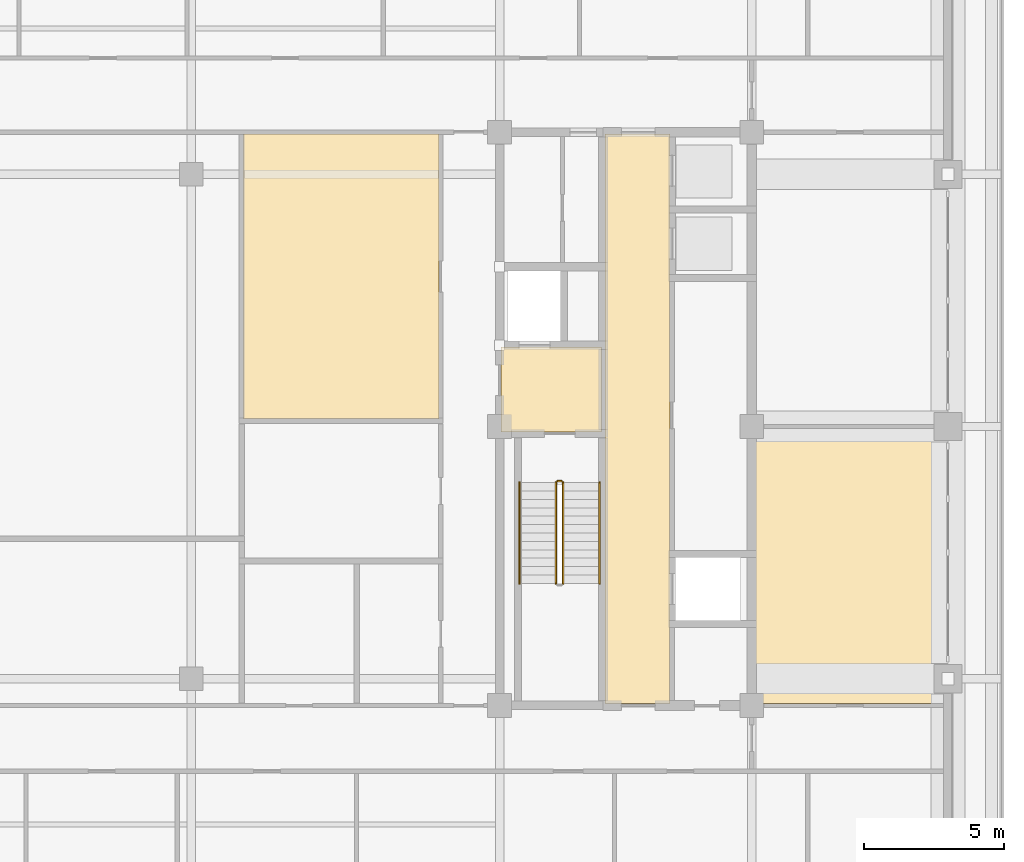
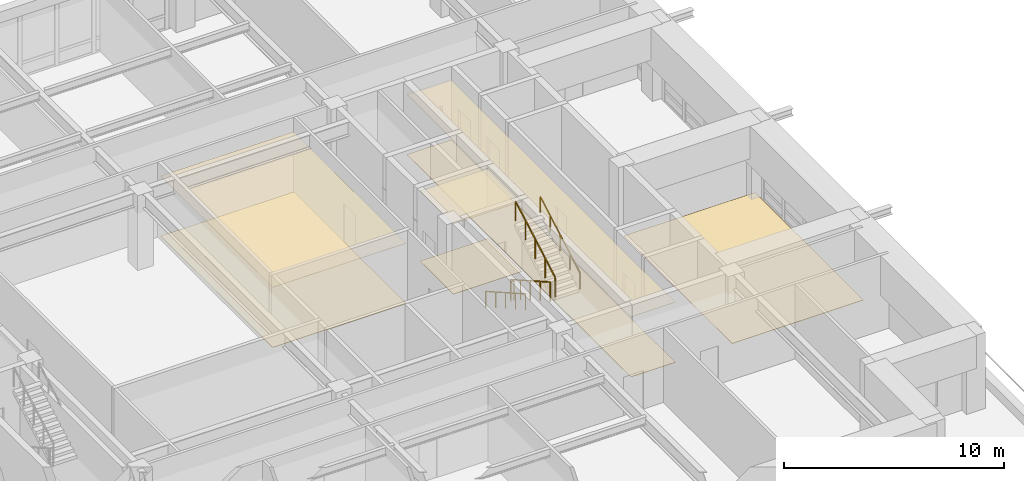
# One storey, part 18 of 20: 7 coverings, 5 railings.
"""IFC4 building model written with IfcOpenShell, lengths in metres."""

import ifcopenshell
import ifcopenshell.guid

model = None  # the IFC model being written
_history = None  # IfcOwnerHistory: only IFC2X3 demands one
_inside = {}  # id of a spatial element -> (the spatial element, [elements in it])
_under = {}  # id of a project, library or spatial element -> (it, [spatial elements below it])
_declared = {}  # id of a project -> (the project, [libraries it declares])
_typed = {}  # id of a type object -> (the type object, [elements of that type])
_made_of = {}  # id of a material, layer set ... -> (it, [elements and type objects made of it])


def new_model(schema):
    """Start an empty IFC model of exactly this schema.

    Asked for "IFC4X3", IfcOpenShell would pick the latest addendum, in which some entities
    have other attributes; the version numbers below select the first issue.
    IFC2X3 requires an IfcOwnerHistory on every rooted entity: one is made here for all.
    """
    global model, _history
    if schema == "IFC4X3":
        model = ifcopenshell.file(schema_version=(4, 3, 0, 0))
    else:
        model = ifcopenshell.file(schema=schema)
    _inside.clear()
    _under.clear()
    _declared.clear()
    _typed.clear()
    _made_of.clear()
    _history = None
    if model.schema == "IFC2X3":
        org = make("IfcOrganization", Name="unknown")
        user = make(
            "IfcPersonAndOrganization",
            ThePerson=make("IfcPerson", FamilyName="unknown"),
            TheOrganization=org,
        )
        app = make(
            "IfcApplication",
            ApplicationDeveloper=org,
            Version="unknown",
            ApplicationFullName="unknown",
            ApplicationIdentifier="unknown",
        )
        _history = make(
            "IfcOwnerHistory",
            OwningUser=user,
            OwningApplication=app,
            ChangeAction="ADDED",
            CreationDate=0,
        )
    return model


def make(cls, **values):
    """One entity of the class cls with the attributes given. An attribute that is None is left unset."""
    return model.create_entity(
        cls, **{name: value for name, value in values.items() if value is not None}
    )


def rooted(cls, **values):
    """An entity with a GlobalId (a new one), such as an element, a storey or a relation."""
    return make(cls, GlobalId=ifcopenshell.guid.new(), OwnerHistory=_history, **values)


def si_unit(unit_type, name, prefix=None):
    """IfcSIUnit, for example si_unit("LENGTHUNIT", "METRE", prefix="MILLI")."""
    return make("IfcSIUnit", UnitType=unit_type, Prefix=prefix, Name=name)


def assignment(units):
    """IfcUnitAssignment: the units of a project."""
    return None if units is None else make("IfcUnitAssignment", Units=units)


def point(xyz):
    """IfcCartesianPoint."""
    return None if xyz is None else make("IfcCartesianPoint", Coordinates=xyz)


def direction(xyz):
    """IfcDirection."""
    return None if xyz is None else make("IfcDirection", DirectionRatios=xyz)


def frame(location, z_axis=None, x_axis=None):
    """IfcAxis2Placement3D, a coordinate frame: its origin and axes. An axis left out is left unset."""
    return make(
        "IfcAxis2Placement3D",
        Location=point(location),
        Axis=direction(z_axis),
        RefDirection=direction(x_axis),
    )


def frame_2d(location, x_axis=None):
    """IfcAxis2Placement2D, a coordinate frame in the plane: its origin and x axis."""
    return make(
        "IfcAxis2Placement2D", Location=point(location), RefDirection=direction(x_axis)
    )


def origin():
    """The frame at (0, 0, 0) with its axes left unset."""
    return frame((0.0, 0.0, 0.0))


def origin_2d():
    """The frame at (0, 0) in the plane with its x axis left unset."""
    return frame_2d((0.0, 0.0))


def place(relative_to, where):
    """IfcLocalPlacement: puts the frame where relative to a parent placement (None: the world)."""
    return make(
        "IfcLocalPlacement", PlacementRelTo=relative_to, RelativePlacement=where
    )


def context(
    kind, dimensions, precision=None, world=None, true_north=None, identifier=None
):
    """IfcGeometricRepresentationContext, for example the 3D "Model" context."""
    return make(
        "IfcGeometricRepresentationContext",
        ContextIdentifier=identifier,
        ContextType=kind,
        CoordinateSpaceDimension=dimensions,
        Precision=precision,
        WorldCoordinateSystem=world,
        TrueNorth=true_north,
    )


def subcontext(parent, identifier, kind, view, scale=None):
    """IfcGeometricRepresentationSubContext, for example "Body" below "Model"."""
    return make(
        "IfcGeometricRepresentationSubContext",
        ContextIdentifier=identifier,
        ContextType=kind,
        ParentContext=parent,
        TargetScale=scale,
        TargetView=view,
    )


def project(units=None, contexts=None):
    """IfcProject with its units and contexts."""
    return rooted(
        "IfcProject",
        Name="project",
        RepresentationContexts=contexts,
        UnitsInContext=assignment(units),
    )


def spatial(cls, under=None, at=None, **own):
    """A site, building, storey or space (cls), placed at a placement, below another one or the project."""
    s = rooted(cls, ObjectPlacement=at, **own)
    if under is not None:
        _under.setdefault(under.id(), (under, []))[1].append(s)
    return s


def polyline(points):
    """IfcPolyline through the points."""
    return make("IfcPolyline", Points=[point(p) for p in points])


def profile(cls, at=None, kind="AREA", **sizes):
    """A parametric profile (cls). Its sizes go by their IFC names, for example OverallWidth=200.0."""
    return make(cls, ProfileType=kind, Position=at, **sizes)


def rectangle(**sizes):
    """IfcRectangleProfileDef."""
    return profile("IfcRectangleProfileDef", **sizes)


def outline(outer, holes=None, kind="AREA"):
    """IfcArbitraryClosedProfileDef: a profile drawn as a closed curve; with holes, ...WithVoids."""
    if holes is None:
        return make("IfcArbitraryClosedProfileDef", ProfileType=kind, OuterCurve=outer)
    return make(
        "IfcArbitraryProfileDefWithVoids",
        ProfileType=kind,
        OuterCurve=outer,
        InnerCurves=holes,
    )


def extrude(swept, where, along, depth):
    """IfcExtrudedAreaSolid: the profile swept, set in the frame where, extruded along a direction by depth."""
    return make(
        "IfcExtrudedAreaSolid",
        SweptArea=swept,
        Position=where,
        ExtrudedDirection=direction(along),
        Depth=depth,
    )


def shape(context_of_items, identifier, shape_type, items):
    """IfcShapeRepresentation: the items that make up one representation, for example the "Body"."""
    return make(
        "IfcShapeRepresentation",
        ContextOfItems=context_of_items,
        RepresentationIdentifier=identifier,
        RepresentationType=shape_type,
        Items=items,
    )


def material(Name=None, Category=None):
    """IfcMaterial."""
    return make("IfcMaterial", Name=Name, Category=Category)


def layer(
    of_material, thickness, ventilated=None, Name=None, Category=None, Priority=None
):
    """IfcMaterialLayer: one layer of a wall or slab, of a material (None: an air gap)."""
    return make(
        "IfcMaterialLayer",
        Material=of_material,
        LayerThickness=thickness,
        IsVentilated=ventilated,
        Name=Name,
        Category=Category,
        Priority=Priority,
    )


def layer_set(layers, Name=None):
    """IfcMaterialLayerSet."""
    return make("IfcMaterialLayerSet", MaterialLayers=layers, LayerSetName=Name)


def made_of(thing, what):
    """Note that an element or type object is made of a material, layer set ...; save() writes the relation."""
    if what is not None:
        _made_of.setdefault(what.id(), (what, []))[1].append(thing)
    return thing


def type_object(cls, material=None, **own):
    """A type object (cls), such as IfcWallType, which elements share."""
    return made_of(rooted(cls, **own), material)


def element(
    cls,
    number,
    at=None,
    inside=None,
    cuts=None,
    type_object=None,
    material=None,
    context=None,
    identifier="Body",
    shape_type=None,
    held_by="IfcProductDefinitionShape",
    body=None,
    shapes=None,
    **own,
):
    """One element of the class cls, such as IfcWall. Its Tag is "e" and its number.

    at: its placement. inside: the storey or other place that contains it. cuts: it is an
    opening in that element (IfcRelVoidsElement). A single representation is given by context,
    identifier, shape_type and body (its items); several are given by shapes. held_by: the class
    of the entity that holds the representations. save() writes the other relations.
    """
    e = rooted(cls, Tag="e%d" % number, ObjectPlacement=at, **own)
    if body is not None:
        shapes = [shape(context, identifier, shape_type, body)]
    if shapes is not None:
        e.Representation = make(held_by, Representations=shapes)
    if inside is not None:
        _inside.setdefault(inside.id(), (inside, []))[1].append(e)
    if cuts is not None:
        rooted(
            "IfcRelVoidsElement", RelatingBuildingElement=cuts, RelatedOpeningElement=e
        )
    if type_object is not None:
        _typed.setdefault(type_object.id(), (type_object, []))[1].append(e)
    return made_of(e, material)


def aggregate(whole, parts):
    """IfcRelAggregates: a whole, such as a stair, and the parts it consists of."""
    return rooted("IfcRelAggregates", RelatingObject=whole, RelatedObjects=parts)


def save(model, path):
    """Write the relations noted so far, then the file.

    IfcRelAggregates (storeys below a building ...), IfcRelContainedInSpatialStructure (elements
    in a storey), IfcRelDefinesByType, IfcRelAssociatesMaterial and IfcRelDeclares: one each for
    every whole, place, type object, material and project.
    """
    for whole, parts in _under.values():
        aggregate(whole, parts)
    for where, things in _inside.values():
        rooted(
            "IfcRelContainedInSpatialStructure",
            RelatedElements=things,
            RelatingStructure=where,
        )
    for kind, things in _typed.values():
        rooted("IfcRelDefinesByType", RelatedObjects=things, RelatingType=kind)
    for what, things in _made_of.values():
        rooted("IfcRelAssociatesMaterial", RelatedObjects=things, RelatingMaterial=what)
    for by, libraries in _declared.values():
        rooted("IfcRelDeclares", RelatingContext=by, RelatedDefinitions=libraries)
    model.write(path)


model = new_model("IFC4")

# Units and contexts
model_context = context("Model", 3, precision=1e-05, world=origin(), true_north=direction((0.0, 1.0)))
body_context = subcontext(model_context, "Body", "Model", "MODEL_VIEW")
ifc_project = project(units=[si_unit("LENGTHUNIT", "METRE"), si_unit("AREAUNIT", "SQUARE_METRE"), si_unit("VOLUMEUNIT", "CUBIC_METRE"), si_unit("PLANEANGLEUNIT", "RADIAN"), si_unit("MASSUNIT", "GRAM", prefix="KILO")], contexts=[model_context])

# Site, building, storey
site_placement = place(None, origin())
site = spatial("IfcSite", under=ifc_project, at=site_placement, CompositionType="ELEMENT")
building_placement = place(site_placement, origin())
building = spatial("IfcBuilding", under=site, at=building_placement, Name="Zulmaris Gate Convention Tower", CompositionType="ELEMENT")
storey_placement = place(building_placement, frame((0.0, 0.0, 158.23974609375)))
storey = spatial("IfcBuildingStorey", under=building, at=storey_placement, Name="L40", CompositionType="ELEMENT", Elevation=158.23974609375)

# Coverings
ifc_material_1 = material(Name="Mineral Fibre Acoustic Ceiling Tile")
ifc_layer_1 = layer(ifc_material_1, 0.02001953125, Name="Mineral Fibre Acoustic Ceiling Tile")
ifc_layer_set_1 = layer_set([ifc_layer_1], Name="Mineral Fibre Acoustic Ceiling Tile")
covering_type_1 = type_object("IfcCoveringType", Name="CLG-ACOUSTIC-600", PredefinedType="CEILING", material=ifc_layer_set_1)
covering_1_placement = place(storey_placement, frame((0.0, 0.0, 3.89013671875)))
element("IfcCovering", 1, at=covering_1_placement, inside=storey, type_object=covering_type_1, Name="CLG-L40-R08", PredefinedType="CEILING", context=body_context, shape_type="SweptSolid", body=[
    extrude(outline(polyline([(11.06005859375, -0.18994140625), (14.639892578125, -0.18994140625), (14.639892578125, 2.840087890625), (11.06005859375, 2.840087890625), (11.06005859375, -0.18994140625)])), origin(), (0.0, 0.0, 1.0), 0.02001953125),
])
covering_2_placement = place(storey_placement, frame((0.0, 0.0, 3.328125)))
element("IfcCovering", 2, at=covering_2_placement, inside=storey, type_object=covering_type_1, Name="CLG-L40-R25", PredefinedType="CEILING", context=body_context, shape_type="SweptSolid", body=[
    extrude(outline(polyline([(14.760009765625, -9.889892578125), (17.090087890625, -9.889892578125), (17.090087890625, 10.43994140625), (14.760009765625, 10.43994140625), (14.760009765625, -9.889892578125)])), origin(), (0.0, 0.0, 1.0), 0.02001953125),
])
covering_3_placement = place(storey_placement, frame((0.0, 0.0, 3.328125)))
element("IfcCovering", 3, at=covering_3_placement, inside=storey, type_object=covering_type_1, Name="CLG-L40-R47", PredefinedType="CEILING", context=body_context, shape_type="SweptSolid", body=[
    extrude(outline(polyline([(1.860107421875, 0.260009765625), (8.840087890625, 0.260009765625), (8.840087890625, 10.43994140625), (1.860107421875, 10.43994140625), (1.860107421875, 0.260009765625)])), origin(), (0.0, 0.0, 1.0), 0.02001953125),
])
ifc_material_2 = material(Name="Woven Acoustic Wool Carpet Tile")
ifc_layer_2 = layer(ifc_material_2, 0.02001953125, Name="Woven Acoustic Wool Carpet Tile")
ifc_layer_set_2 = layer_set([ifc_layer_2], Name="Woven Acoustic Wool Carpet Tile")
covering_type_2 = type_object("IfcCoveringType", Name="FLR-CARPET-12", PredefinedType="FLOORING", material=ifc_layer_set_2)
covering_4_placement = place(storey_placement, origin())
element("IfcCovering", 4, at=covering_4_placement, inside=storey, type_object=covering_type_2, Name="FLR-L40-R08", PredefinedType="FLOORING", context=body_context, shape_type="SweptSolid", body=[
    extrude(outline(polyline([(11.06005859375, -0.18994140625), (14.639892578125, -0.18994140625), (14.639892578125, 2.840087890625), (11.06005859375, 2.840087890625), (11.06005859375, -0.18994140625)])), origin(), (0.0, 0.0, 1.0), 0.02001953125),
])
covering_5_placement = place(storey_placement, origin())
element("IfcCovering", 5, at=covering_5_placement, inside=storey, type_object=covering_type_2, Name="FLR-L40-R25", PredefinedType="FLOORING", context=body_context, shape_type="SweptSolid", body=[
    extrude(outline(polyline([(14.760009765625, -9.889892578125), (17.090087890625, -9.889892578125), (17.090087890625, 10.43994140625), (14.760009765625, 10.43994140625), (14.760009765625, -9.889892578125)])), origin(), (0.0, 0.0, 1.0), 0.02001953125),
])
covering_6_placement = place(storey_placement, origin())
element("IfcCovering", 6, at=covering_6_placement, inside=storey, type_object=covering_type_2, Name="FLR-L40-R47", PredefinedType="FLOORING", context=body_context, shape_type="SweptSolid", body=[
    extrude(outline(polyline([(1.860107421875, 0.260009765625), (8.840087890625, 0.260009765625), (8.840087890625, 10.43994140625), (1.860107421875, 10.43994140625), (1.860107421875, 0.260009765625)])), origin(), (0.0, 0.0, 1.0), 0.02001953125),
])
covering_7_placement = place(storey_placement, origin())
element("IfcCovering", 7, at=covering_7_placement, inside=storey, type_object=covering_type_2, Name="FLR-L40-R54", PredefinedType="FLOORING", context=body_context, shape_type="SweptSolid", body=[
    extrude(outline(polyline([(20.06005859375, -9.889892578125), (26.93994140625, -9.889892578125), (26.93994140625, -0.06005859375), (20.06005859375, -0.06005859375), (20.06005859375, -9.889892578125)])), origin(), (0.0, 0.0, 1.0), 0.02001953125),
])

# Railings
ifc_material_3 = material(Name="Painted Galvanised Steel", Category="steel")
railing_type_1 = type_object("IfcRailingType", Name="RL-STG-1150", PredefinedType="GUARDRAIL", material=ifc_material_3)
railing_1_placement = place(storey_placement, frame((13.010009765625, -2.0, 0.169921875)))
element("IfcRailing", 8, at=railing_1_placement, inside=storey, type_object=railing_type_1, Name="L40 ST-2 stair guard 1", PredefinedType="GUARDRAIL", context=body_context, shape_type="SweptSolid", body=[
    extrude(rectangle(XDim=0.048095703125, YDim=0.048095703125, at=origin_2d()), frame((0.0, 0.0, 1.076171875), z_axis=(0.0, -0.870023872995, 0.493009594652), x_axis=(1.0, 0.0, 0.0)), (0.0, 0.0, 1.0), 4.137939453125),
    extrude(rectangle(XDim=0.0419921875, YDim=0.0419921875, at=origin_2d()), origin(), (0.0, 0.0, 1.0), 1.052001953125),
    extrude(rectangle(XDim=0.0419921875, YDim=0.0419921875, at=origin_2d()), frame((0.0, -0.89990234375, 0.510009765625)), (0.0, 0.0, 1.0), 1.052001953125),
    extrude(rectangle(XDim=0.0419921875, YDim=0.0419921875, at=origin_2d()), frame((0.0, -1.800048828125, 1.02001953125)), (0.0, 0.0, 1.0), 1.052001953125),
    extrude(rectangle(XDim=0.0419921875, YDim=0.0419921875, at=origin_2d()), frame((0.0, -2.7001953125, 1.530029296875)), (0.0, 0.0, 1.0), 1.052001953125),
    extrude(rectangle(XDim=0.0419921875, YDim=0.0419921875, at=origin_2d()), frame((0.0, -3.60009765625, 2.0400390625)), (0.0, 0.0, 1.0), 1.052001953125),
])
railing_2_placement = place(storey_placement, frame((13.27001953125, -5.60009765625, 2.380126953125)))
element("IfcRailing", 9, at=railing_2_placement, inside=storey, type_object=railing_type_1, Name="L40 ST-2 stair guard 3", PredefinedType="GUARDRAIL", context=body_context, shape_type="SweptSolid", body=[
    extrude(rectangle(XDim=0.048095703125, YDim=0.048095703125, at=origin_2d()), frame((0.0, 0.0, 1.076171875), z_axis=(0.0, 0.870023872995, 0.493009594652), x_axis=(-1.0, 0.0, 0.0)), (0.0, 0.0, 1.0), 4.137939453125),
    extrude(rectangle(XDim=0.0419921875, YDim=0.0419921875, at=origin_2d()), origin(), (0.0, 0.0, 1.0), 1.052001953125),
    extrude(rectangle(XDim=0.0419921875, YDim=0.0419921875, at=origin_2d()), frame((0.0, 0.89990234375, 0.510009765625)), (0.0, 0.0, 1.0), 1.052001953125),
    extrude(rectangle(XDim=0.0419921875, YDim=0.0419921875, at=origin_2d()), frame((0.0, 1.800048828125, 1.02001953125)), (0.0, 0.0, 1.0), 1.052001953125),
    extrude(rectangle(XDim=0.0419921875, YDim=0.0419921875, at=origin_2d()), frame((0.0, 2.7001953125, 1.530029296875)), (0.0, 0.0, 1.0), 1.052001953125),
    extrude(rectangle(XDim=0.0419921875, YDim=0.0419921875, at=origin_2d()), frame((0.0, 3.60009765625, 2.0400390625)), (0.0, 0.0, 1.0), 1.052001953125),
])
railing_3_placement = place(storey_placement, frame((13.06005859375, -1.949951171875, 0.0)))
element("IfcRailing", 10, at=railing_3_placement, inside=storey, type_object=railing_type_1, Name="L40 ST-2 stair guard 4", PredefinedType="GUARDRAIL", context=body_context, shape_type="SweptSolid", body=[
    extrude(rectangle(XDim=0.048095703125, YDim=0.048095703125, at=origin_2d()), frame((0.0, 0.0, 1.076171875), z_axis=(1.0, 0.0, 0.0), x_axis=(0.0, 1.0, 0.0)), (0.0, 0.0, 1.0), 0.159912109375),
    extrude(rectangle(XDim=0.0419921875, YDim=0.0419921875, at=origin_2d()), origin(), (0.0, 0.0, 1.0), 1.052001953125),
    extrude(rectangle(XDim=0.0419921875, YDim=0.0419921875, at=origin_2d()), frame((0.159912109375, 0.0, 0.0)), (0.0, 0.0, 1.0), 1.052001953125),
])
ifc_material_4 = material(Name="Brushed Stainless Steel", Category="steel")
railing_type_2 = type_object("IfcRailingType", Name="RL-STH-900", PredefinedType="HANDRAIL", material=ifc_material_4)
railing_4_placement = place(storey_placement, frame((11.7099609375, -2.0, 0.169921875)))
element("IfcRailing", 11, at=railing_4_placement, inside=storey, type_object=railing_type_2, Name="L40 ST-2 stair handrail 1", PredefinedType="HANDRAIL", context=body_context, shape_type="SweptSolid", body=[
    extrude(rectangle(XDim=0.048095703125, YDim=0.048095703125, at=origin_2d()), frame((0.0, 0.0, 0.8759765625), z_axis=(0.0, -0.870023872995, 0.493009594652), x_axis=(1.0, 0.0, 0.0)), (0.0, 0.0, 1.0), 4.137939453125),
    extrude(rectangle(XDim=0.0419921875, YDim=0.0419921875, at=origin_2d()), origin(), (0.0, 0.0, 1.0), 0.851806640625),
    extrude(rectangle(XDim=0.0419921875, YDim=0.0419921875, at=origin_2d()), frame((0.0, -0.89990234375, 0.510009765625)), (0.0, 0.0, 1.0), 0.851806640625),
    extrude(rectangle(XDim=0.0419921875, YDim=0.0419921875, at=origin_2d()), frame((0.0, -1.800048828125, 1.02001953125)), (0.0, 0.0, 1.0), 0.851806640625),
    extrude(rectangle(XDim=0.0419921875, YDim=0.0419921875, at=origin_2d()), frame((0.0, -2.7001953125, 1.530029296875)), (0.0, 0.0, 1.0), 0.851806640625),
    extrude(rectangle(XDim=0.0419921875, YDim=0.0419921875, at=origin_2d()), frame((0.0, -3.60009765625, 2.0400390625)), (0.0, 0.0, 1.0), 0.851806640625),
])
railing_5_placement = place(storey_placement, frame((14.570068359375, -5.60009765625, 2.380126953125)))
element("IfcRailing", 12, at=railing_5_placement, inside=storey, type_object=railing_type_2, Name="L40 ST-2 stair handrail 2", PredefinedType="HANDRAIL", context=body_context, shape_type="SweptSolid", body=[
    extrude(rectangle(XDim=0.048095703125, YDim=0.048095703125, at=origin_2d()), frame((0.0, 0.0, 0.8759765625), z_axis=(0.0, 0.870023872995, 0.493009594652), x_axis=(-1.0, 0.0, 0.0)), (0.0, 0.0, 1.0), 4.137939453125),
    extrude(rectangle(XDim=0.0419921875, YDim=0.0419921875, at=origin_2d()), origin(), (0.0, 0.0, 1.0), 0.851806640625),
    extrude(rectangle(XDim=0.0419921875, YDim=0.0419921875, at=origin_2d()), frame((0.0, 0.89990234375, 0.510009765625)), (0.0, 0.0, 1.0), 0.851806640625),
    extrude(rectangle(XDim=0.0419921875, YDim=0.0419921875, at=origin_2d()), frame((0.0, 1.800048828125, 1.02001953125)), (0.0, 0.0, 1.0), 0.851806640625),
    extrude(rectangle(XDim=0.0419921875, YDim=0.0419921875, at=origin_2d()), frame((0.0, 2.7001953125, 1.530029296875)), (0.0, 0.0, 1.0), 0.851806640625),
    extrude(rectangle(XDim=0.0419921875, YDim=0.0419921875, at=origin_2d()), frame((0.0, 3.60009765625, 2.0400390625)), (0.0, 0.0, 1.0), 0.851806640625),
])

save(model, "model.ifc")
